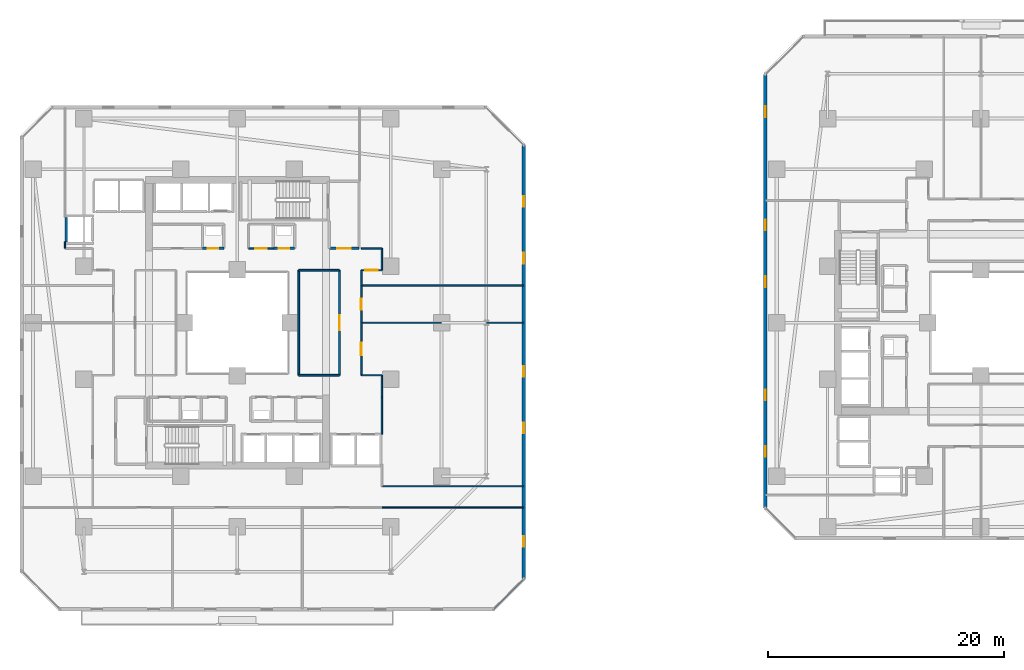
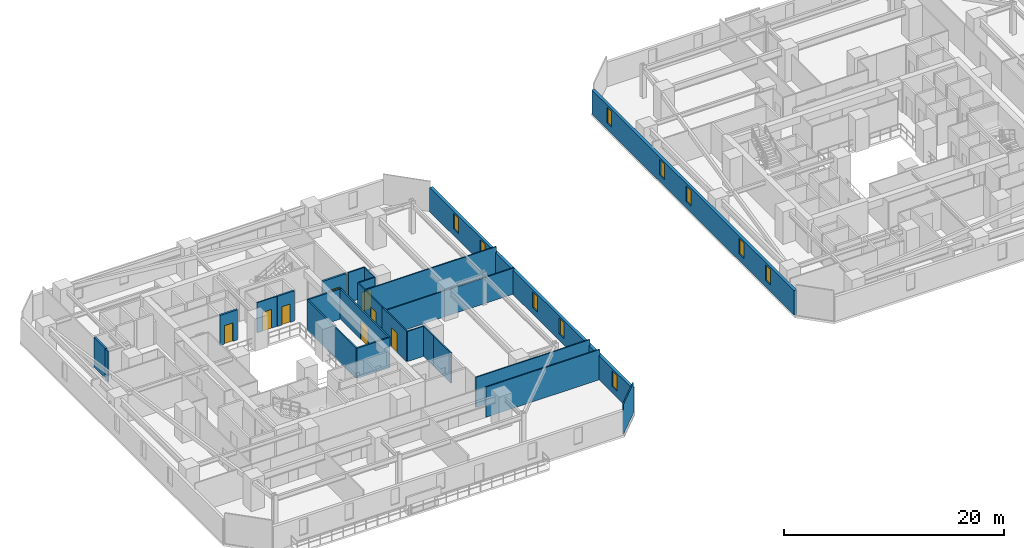
# One storey, part 22 of 34: 26 walls, 10 windows, 8 doors, 18 openings.
"""IFC4 building model written with IfcOpenShell, lengths in metres."""

from ifc_helpers import new_model, si_unit, direction, frame, frame_2d, origin, place, context, subcontext, project, spatial, rectangle, extrude, material, layer, layer_set, type_object, element, fill, save


model = new_model("IFC4")

# Units and contexts
model_context = context("Model", 3, precision=1e-05, world=origin(), true_north=direction((0.0, 1.0)))
body_context = subcontext(model_context, "Body", "Model", "MODEL_VIEW")
ifc_project = project(units=[si_unit("LENGTHUNIT", "METRE"), si_unit("AREAUNIT", "SQUARE_METRE"), si_unit("VOLUMEUNIT", "CUBIC_METRE"), si_unit("PLANEANGLEUNIT", "RADIAN"), si_unit("MASSUNIT", "GRAM", prefix="KILO")], contexts=[model_context])

# Site, building, storey
site_placement = place(None, origin())
site = spatial("IfcSite", under=ifc_project, at=site_placement, CompositionType="ELEMENT")
building_placement = place(site_placement, origin())
building = spatial("IfcBuilding", under=site, at=building_placement, Name="Thornwick Lancets Civic Towers", CompositionType="ELEMENT")
storey_placement = place(building_placement, frame((0.0, 0.0, 60.89990234375)))
storey = spatial("IfcBuildingStorey", under=building, at=storey_placement, Name="L15", CompositionType="ELEMENT", Elevation=60.89990234375)

# Wall
ifc_material_1 = material(Name="Concrete blockwork C40/50", Category="masonry")
ifc_layer_1 = layer(ifc_material_1, 0.199951171875, Name="Concrete blockwork C40/50")
ifc_layer_set_1 = layer_set([ifc_layer_1], Name="Concrete blockwork C40/50")
wall_type_1 = type_object("IfcWallType", Name="WALL_COMP_200", PredefinedType="STANDARD", material=ifc_layer_set_1)
wall_1_placement = place(storey_placement, frame((11.0, 33.862060546875, 0.0), z_axis=(0.0, 0.0, 1.0), x_axis=(0.0, 1.0, 0.0)))
element("IfcWall", 1, at=wall_1_placement, inside=storey, type_object=wall_type_1, Name="L15 Hoistway Shaft Wall PL-AM3 W", PredefinedType="STANDARD", context=body_context, shape_type="SweptSolid", body=[
    extrude(rectangle(XDim=2.075927734375, YDim=0.199951171875, at=frame_2d((1.0380859375, 0.0))), origin(), (0.0, 0.0, 1.0), 3.340087890625),
])

# Wall, opening, door
wall_2_placement = place(storey_placement, frame((33.300048828125, 33.300048828125, 0.0), z_axis=(0.0, 0.0, 1.0), x_axis=(1.0, 0.0, 0.0)))
wall_2 = element("IfcWall", 2, at=wall_2_placement, inside=storey, type_object=wall_type_1, Name="L15 Partition L15-A-FFLOB2 E1", PredefinedType="STANDARD", context=body_context, shape_type="SweptSolid", body=[
    extrude(rectangle(XDim=2.5, YDim=0.199951171875, at=frame_2d((1.25, 0.0))), origin(), (0.0, 0.0, 1.0), 3.340087890625),
])
opening_1_placement = place(wall_2_placement, frame((0.675048828125, 0.0, 0.0)))
opening_1 = element("IfcOpeningElement", 3, at=opening_1_placement, cuts=wall_2, Name="Opening D-L15-0704", PredefinedType="OPENING", context=body_context, shape_type="SweptSolid", body=[
    extrude(rectangle(XDim=1.14990234375, YDim=2.10009765625, at=frame_2d((0.574951171875, 1.050048828125))), frame((0.0, 0.10986328125, 0.0), z_axis=(0.0, -1.0, 0.0), x_axis=(1.0, 0.0, 0.0)), (0.0, 0.0, 1.0), 0.219970703125),
])
ifc_material_2 = material(Name="Glazed fire-resisting steel", Category="steel")
door_type_1 = type_object("IfcDoorType", Name="DOOR_LOBBY_FD60", OperationType="NOTDEFINED", PredefinedType="DOOR", material=ifc_material_2)
door_1_placement = place(opening_1_placement, origin())
door_1 = element("IfcDoor", 4, at=door_1_placement, inside=storey, type_object=door_type_1, Name="L15 North Firefighting Lobby 2 Door", OperationType="SINGLE_SWING_LEFT", OverallHeight=2.10009765625, OverallWidth=1.14990234375, PredefinedType="DOOR", context=body_context, shape_type="SweptSolid", body=[
    extrude(rectangle(XDim=1.14990234375, YDim=2.10009765625, at=frame_2d((0.574951171875, 1.050048828125))), frame((0.0, 0.02490234375, 0.0), z_axis=(0.0, -1.0, 0.0), x_axis=(1.0, 0.0, 0.0)), (0.0, 0.0, 1.0), 0.050048828125),
])
fill(opening_1, door_1)

wall_3_placement = place(storey_placement, frame((22.550048828125, 33.300048828125, 0.0), z_axis=(0.0, 0.0, 1.0), x_axis=(1.0, 0.0, 0.0)))
wall_3 = element("IfcWall", 5, at=wall_3_placement, inside=storey, type_object=wall_type_1, Name="L15 Partition L15-A-DUCT2 E1", PredefinedType="STANDARD", context=body_context, shape_type="SweptSolid", body=[
    extrude(rectangle(XDim=1.800048828125, YDim=0.199951171875, at=frame_2d((0.89990234375, 0.0))), origin(), (0.0, 0.0, 1.0), 3.340087890625),
])
opening_2_placement = place(wall_3_placement, frame((0.4599609375, 0.0, 0.0)))
opening_2 = element("IfcOpeningElement", 6, at=opening_2_placement, cuts=wall_3, Name="Opening D-L15-0707", PredefinedType="OPENING", context=body_context, shape_type="SweptSolid", body=[
    extrude(rectangle(XDim=0.8798828125, YDim=2.0400390625, at=frame_2d((0.43994140625, 1.02001953125))), frame((0.0, 0.10986328125, 0.0), z_axis=(0.0, -1.0, 0.0), x_axis=(1.0, 0.0, 0.0)), (0.0, 0.0, 1.0), 0.219970703125),
])
ifc_material_3 = material(Name="Steel riser access doorset", Category="steel")
door_type_2 = type_object("IfcDoorType", Name="DOOR_RISER_850", OperationType="NOTDEFINED", PredefinedType="DOOR", material=ifc_material_3)
door_2_placement = place(opening_2_placement, origin())
door_2 = element("IfcDoor", 7, at=door_2_placement, inside=storey, type_object=door_type_2, Name="L15 North Service Duct 2 Door", OperationType="SINGLE_SWING_RIGHT", OverallHeight=2.0400390625, OverallWidth=0.8798828125, PredefinedType="DOOR", context=body_context, shape_type="SweptSolid", body=[
    extrude(rectangle(XDim=0.8798828125, YDim=2.0400390625, at=frame_2d((0.43994140625, 1.02001953125))), frame((0.0, 0.02490234375, 0.0), z_axis=(0.0, -1.0, 0.0), x_axis=(1.0, 0.0, 0.0)), (0.0, 0.0, 1.0), 0.050048828125),
])
fill(opening_2, door_2)

wall_4_placement = place(storey_placement, frame((28.550048828125, 33.300048828125, 0.0), z_axis=(0.0, 0.0, 1.0), x_axis=(1.0, 0.0, 0.0)))
wall_4 = element("IfcWall", 8, at=wall_4_placement, inside=storey, type_object=wall_type_1, Name="L15 Partition L15-A-RISER2 E1", PredefinedType="STANDARD", context=body_context, shape_type="SweptSolid", body=[
    extrude(rectangle(XDim=1.800048828125, YDim=0.199951171875, at=frame_2d((0.89990234375, 0.0))), origin(), (0.0, 0.0, 1.0), 3.340087890625),
])
opening_3_placement = place(wall_4_placement, frame((0.4599609375, 0.0, 0.0)))
opening_3 = element("IfcOpeningElement", 9, at=opening_3_placement, cuts=wall_4, Name="Opening D-L15-0708", PredefinedType="OPENING", context=body_context, shape_type="SweptSolid", body=[
    extrude(rectangle(XDim=0.8798828125, YDim=2.0400390625, at=frame_2d((0.43994140625, 1.02001953125))), frame((0.0, 0.10986328125, 0.0), z_axis=(0.0, -1.0, 0.0), x_axis=(1.0, 0.0, 0.0)), (0.0, 0.0, 1.0), 0.219970703125),
])
door_3_placement = place(opening_3_placement, origin())
door_3 = element("IfcDoor", 10, at=door_3_placement, inside=storey, type_object=door_type_2, Name="L15 North Service Riser 2 Door", OperationType="SINGLE_SWING_LEFT", OverallHeight=2.0400390625, OverallWidth=0.8798828125, PredefinedType="DOOR", context=body_context, shape_type="SweptSolid", body=[
    extrude(rectangle(XDim=0.8798828125, YDim=2.0400390625, at=frame_2d((0.43994140625, 1.02001953125))), frame((0.0, 0.02490234375, 0.0), z_axis=(0.0, -1.0, 0.0), x_axis=(1.0, 0.0, 0.0)), (0.0, 0.0, 1.0), 0.050048828125),
])
fill(opening_3, door_3)

# Wall, openings, windows
ifc_material_4 = material(Name="Insulated russet terracotta rainscreen on concrete C40/50", Category="masonry")
ifc_layer_2 = layer(ifc_material_4, 0.300048828125, Name="Insulated russet terracotta rainscreen on concrete C40/50")
ifc_layer_set_2 = layer_set([ifc_layer_2], Name="Insulated russet terracotta rainscreen on concrete C40/50")
wall_type_2 = type_object("IfcWallType", Name="WALL_EXT_RUSSET_300", PredefinedType="STANDARD", material=ifc_layer_set_2)
wall_5_placement = place(storey_placement, frame((49.764892578125, 5.31884765625, 0.0), z_axis=(0.0, 0.0, 1.0), x_axis=(-5.985515e-05, 0.999999998209, 0.0)))
wall_5 = element("IfcWall", 11, at=wall_5_placement, inside=storey, type_object=wall_type_2, Name="L15 Tower A Terracotta Facade Wall E2", PredefinedType="STANDARD", context=body_context, shape_type="SweptSolid", body=[
    extrude(rectangle(XDim=36.709716796875, YDim=0.300048828125, at=frame_2d((18.35498046875, 0.0))), origin(), (0.0, 0.0, 1.0), 2.7001953125),
])
opening_4_placement = place(wall_5_placement, frame((2.699951171875, 0.0, 0.719970703125)))
opening_4 = element("IfcOpeningElement", 12, at=opening_4_placement, cuts=wall_5, Name="Opening WL-01", PredefinedType="OPENING", context=body_context, shape_type="SweptSolid", body=[
    extrude(rectangle(XDim=0.89990234375, YDim=1.75, at=frame_2d((0.449951171875, 0.875))), frame((0.0, 0.16015625, 0.0), z_axis=(0.0, -1.0, 0.0), x_axis=(1.0, 0.0, 0.0)), (0.0, 0.0, 1.0), 0.320068359375),
])
opening_5_placement = place(wall_5_placement, frame((12.300048828125, 0.0, 0.719970703125)))
opening_5 = element("IfcOpeningElement", 13, at=opening_5_placement, cuts=wall_5, Name="Opening WL-01", PredefinedType="OPENING", context=body_context, shape_type="SweptSolid", body=[
    extrude(rectangle(XDim=0.89990234375, YDim=1.75, at=frame_2d((0.449951171875, 0.875))), frame((0.0, 0.16015625, 0.0), z_axis=(0.0, -1.0, 0.0), x_axis=(1.0, 0.0, 0.0)), (0.0, 0.0, 1.0), 0.320068359375),
])
opening_6_placement = place(wall_5_placement, frame((17.10009765625, 0.0, 0.719970703125)))
opening_6 = element("IfcOpeningElement", 14, at=opening_6_placement, cuts=wall_5, Name="Opening WL-01", PredefinedType="OPENING", context=body_context, shape_type="SweptSolid", body=[
    extrude(rectangle(XDim=0.89990234375, YDim=1.75, at=frame_2d((0.449951171875, 0.875))), frame((0.0, 0.16015625, 0.0), z_axis=(0.0, -1.0, 0.0), x_axis=(1.0, 0.0, 0.0)), (0.0, 0.0, 1.0), 0.320068359375),
])
opening_7_placement = place(wall_5_placement, frame((26.699951171875, 0.0, 0.719970703125)))
opening_7 = element("IfcOpeningElement", 15, at=opening_7_placement, cuts=wall_5, Name="Opening WL-01", PredefinedType="OPENING", context=body_context, shape_type="SweptSolid", body=[
    extrude(rectangle(XDim=0.89990234375, YDim=1.75, at=frame_2d((0.449951171875, 0.875))), frame((0.0, 0.16015625, 0.0), z_axis=(0.0, -1.0, 0.0), x_axis=(1.0, 0.0, 0.0)), (0.0, 0.0, 1.0), 0.320068359375),
])
opening_8_placement = place(wall_5_placement, frame((31.5, 0.0, 0.719970703125)))
opening_8 = element("IfcOpeningElement", 16, at=opening_8_placement, cuts=wall_5, Name="Opening WL-01", PredefinedType="OPENING", context=body_context, shape_type="SweptSolid", body=[
    extrude(rectangle(XDim=0.89990234375, YDim=1.75, at=frame_2d((0.449951171875, 0.875))), frame((0.0, 0.16015625, 0.0), z_axis=(0.0, -1.0, 0.0), x_axis=(1.0, 0.0, 0.0)), (0.0, 0.0, 1.0), 0.320068359375),
])
ifc_material_5 = material(Name="Clear low-e double glazing in bronze frame", Category="glass")
window_type = type_object("IfcWindowType", Name="WIN_LANCET_900", PartitioningType="SINGLE_PANEL", PredefinedType="WINDOW", material=ifc_material_5)
window_1_placement = place(opening_4_placement, origin())
window_1 = element("IfcWindow", 17, at=window_1_placement, inside=storey, type_object=window_type, Name="L15 Tower A Staggered Lancet Window E2-1", OverallHeight=1.75, OverallWidth=0.89990234375, PartitioningType="SINGLE_PANEL", PredefinedType="WINDOW", context=body_context, shape_type="SweptSolid", body=[
    extrude(rectangle(XDim=0.89990234375, YDim=1.75, at=frame_2d((0.449951171875, 0.875))), frame((0.0, 0.030029296875, 0.0), z_axis=(0.0, -1.0, 0.0), x_axis=(1.0, 0.0, 0.0)), (0.0, 0.0, 1.0), 0.06005859375),
])
fill(opening_4, window_1)
window_2_placement = place(opening_5_placement, origin())
window_2 = element("IfcWindow", 18, at=window_2_placement, inside=storey, type_object=window_type, Name="L15 Tower A Staggered Lancet Window E2-2", OverallHeight=1.75, OverallWidth=0.89990234375, PartitioningType="SINGLE_PANEL", PredefinedType="WINDOW", context=body_context, shape_type="SweptSolid", body=[
    extrude(rectangle(XDim=0.89990234375, YDim=1.75, at=frame_2d((0.449951171875, 0.875))), frame((0.0, 0.030029296875, 0.0), z_axis=(0.0, -1.0, 0.0), x_axis=(1.0, 0.0, 0.0)), (0.0, 0.0, 1.0), 0.06005859375),
])
fill(opening_5, window_2)
window_3_placement = place(opening_6_placement, origin())
window_3 = element("IfcWindow", 19, at=window_3_placement, inside=storey, type_object=window_type, Name="L15 Tower A Staggered Lancet Window E2-3", OverallHeight=1.75, OverallWidth=0.89990234375, PartitioningType="SINGLE_PANEL", PredefinedType="WINDOW", context=body_context, shape_type="SweptSolid", body=[
    extrude(rectangle(XDim=0.89990234375, YDim=1.75, at=frame_2d((0.449951171875, 0.875))), frame((0.0, 0.030029296875, 0.0), z_axis=(0.0, -1.0, 0.0), x_axis=(1.0, 0.0, 0.0)), (0.0, 0.0, 1.0), 0.06005859375),
])
fill(opening_6, window_3)
window_4_placement = place(opening_7_placement, origin())
window_4 = element("IfcWindow", 20, at=window_4_placement, inside=storey, type_object=window_type, Name="L15 Tower A Staggered Lancet Window E2-4", OverallHeight=1.75, OverallWidth=0.89990234375, PartitioningType="SINGLE_PANEL", PredefinedType="WINDOW", context=body_context, shape_type="SweptSolid", body=[
    extrude(rectangle(XDim=0.89990234375, YDim=1.75, at=frame_2d((0.449951171875, 0.875))), frame((0.0, 0.030029296875, 0.0), z_axis=(0.0, -1.0, 0.0), x_axis=(1.0, 0.0, 0.0)), (0.0, 0.0, 1.0), 0.06005859375),
])
fill(opening_7, window_4)
window_5_placement = place(opening_8_placement, origin())
window_5 = element("IfcWindow", 21, at=window_5_placement, inside=storey, type_object=window_type, Name="L15 Tower A Staggered Lancet Window E2-5", OverallHeight=1.75, OverallWidth=0.89990234375, PartitioningType="SINGLE_PANEL", PredefinedType="WINDOW", context=body_context, shape_type="SweptSolid", body=[
    extrude(rectangle(XDim=0.89990234375, YDim=1.75, at=frame_2d((0.449951171875, 0.875))), frame((0.0, 0.030029296875, 0.0), z_axis=(0.0, -1.0, 0.0), x_axis=(1.0, 0.0, 0.0)), (0.0, 0.0, 1.0), 0.06005859375),
])
fill(opening_8, window_5)

wall_6_placement = place(storey_placement, frame((70.2373046875, 48.028564453125, 0.0), z_axis=(0.0, 0.0, 1.0), x_axis=(-5.985515e-05, -0.999999998209, 0.0)))
wall_6 = element("IfcWall", 22, at=wall_6_placement, inside=storey, type_object=wall_type_2, Name="L15 Tower B Terracotta Facade Wall E6", PredefinedType="STANDARD", context=body_context, shape_type="SweptSolid", body=[
    extrude(rectangle(XDim=36.709716796875, YDim=0.300048828125, at=frame_2d((18.35498046875, 0.0))), origin(), (0.0, 0.0, 1.0), 2.7001953125),
])
opening_9_placement = place(wall_6_placement, frame((2.699951171875, 0.0, 0.719970703125)))
opening_9 = element("IfcOpeningElement", 23, at=opening_9_placement, cuts=wall_6, Name="Opening WL-01", PredefinedType="OPENING", context=body_context, shape_type="SweptSolid", body=[
    extrude(rectangle(XDim=0.89990234375, YDim=1.75, at=frame_2d((0.449951171875, 0.875))), frame((0.0, 0.16015625, 0.0), z_axis=(0.0, -1.0, 0.0), x_axis=(1.0, 0.0, 0.0)), (0.0, 0.0, 1.0), 0.320068359375),
])
opening_10_placement = place(wall_6_placement, frame((12.300048828125, 0.0, 0.719970703125)))
opening_10 = element("IfcOpeningElement", 24, at=opening_10_placement, cuts=wall_6, Name="Opening WL-01", PredefinedType="OPENING", context=body_context, shape_type="SweptSolid", body=[
    extrude(rectangle(XDim=0.89990234375, YDim=1.75, at=frame_2d((0.449951171875, 0.875))), frame((0.0, 0.16015625, 0.0), z_axis=(0.0, -1.0, 0.0), x_axis=(1.0, 0.0, 0.0)), (0.0, 0.0, 1.0), 0.320068359375),
])
opening_11_placement = place(wall_6_placement, frame((17.10009765625, 0.0, 0.719970703125)))
opening_11 = element("IfcOpeningElement", 25, at=opening_11_placement, cuts=wall_6, Name="Opening WL-01", PredefinedType="OPENING", context=body_context, shape_type="SweptSolid", body=[
    extrude(rectangle(XDim=0.89990234375, YDim=1.75, at=frame_2d((0.449951171875, 0.875))), frame((0.0, 0.16015625, 0.0), z_axis=(0.0, -1.0, 0.0), x_axis=(1.0, 0.0, 0.0)), (0.0, 0.0, 1.0), 0.320068359375),
])
opening_12_placement = place(wall_6_placement, frame((26.699951171875, 0.0, 0.719970703125)))
opening_12 = element("IfcOpeningElement", 26, at=opening_12_placement, cuts=wall_6, Name="Opening WL-01", PredefinedType="OPENING", context=body_context, shape_type="SweptSolid", body=[
    extrude(rectangle(XDim=0.89990234375, YDim=1.75, at=frame_2d((0.449951171875, 0.875))), frame((0.0, 0.16015625, 0.0), z_axis=(0.0, -1.0, 0.0), x_axis=(1.0, 0.0, 0.0)), (0.0, 0.0, 1.0), 0.320068359375),
])
opening_13_placement = place(wall_6_placement, frame((31.5, 0.0, 0.719970703125)))
opening_13 = element("IfcOpeningElement", 27, at=opening_13_placement, cuts=wall_6, Name="Opening WL-01", PredefinedType="OPENING", context=body_context, shape_type="SweptSolid", body=[
    extrude(rectangle(XDim=0.89990234375, YDim=1.75, at=frame_2d((0.449951171875, 0.875))), frame((0.0, 0.16015625, 0.0), z_axis=(0.0, -1.0, 0.0), x_axis=(1.0, 0.0, 0.0)), (0.0, 0.0, 1.0), 0.320068359375),
])
window_6_placement = place(opening_9_placement, origin())
window_6 = element("IfcWindow", 28, at=window_6_placement, inside=storey, type_object=window_type, Name="L15 Tower B Staggered Lancet Window E6-1", OverallHeight=1.75, OverallWidth=0.89990234375, PartitioningType="SINGLE_PANEL", PredefinedType="WINDOW", context=body_context, shape_type="SweptSolid", body=[
    extrude(rectangle(XDim=0.89990234375, YDim=1.75, at=frame_2d((0.449951171875, 0.875))), frame((0.0, 0.030029296875, 0.0), z_axis=(0.0, -1.0, 0.0), x_axis=(1.0, 0.0, 0.0)), (0.0, 0.0, 1.0), 0.06005859375),
])
fill(opening_9, window_6)
window_7_placement = place(opening_10_placement, origin())
window_7 = element("IfcWindow", 29, at=window_7_placement, inside=storey, type_object=window_type, Name="L15 Tower B Staggered Lancet Window E6-2", OverallHeight=1.75, OverallWidth=0.89990234375, PartitioningType="SINGLE_PANEL", PredefinedType="WINDOW", context=body_context, shape_type="SweptSolid", body=[
    extrude(rectangle(XDim=0.89990234375, YDim=1.75, at=frame_2d((0.449951171875, 0.875))), frame((0.0, 0.030029296875, 0.0), z_axis=(0.0, -1.0, 0.0), x_axis=(1.0, 0.0, 0.0)), (0.0, 0.0, 1.0), 0.06005859375),
])
fill(opening_10, window_7)
window_8_placement = place(opening_11_placement, origin())
window_8 = element("IfcWindow", 30, at=window_8_placement, inside=storey, type_object=window_type, Name="L15 Tower B Staggered Lancet Window E6-3", OverallHeight=1.75, OverallWidth=0.89990234375, PartitioningType="SINGLE_PANEL", PredefinedType="WINDOW", context=body_context, shape_type="SweptSolid", body=[
    extrude(rectangle(XDim=0.89990234375, YDim=1.75, at=frame_2d((0.449951171875, 0.875))), frame((0.0, 0.030029296875, 0.0), z_axis=(0.0, -1.0, 0.0), x_axis=(1.0, 0.0, 0.0)), (0.0, 0.0, 1.0), 0.06005859375),
])
fill(opening_11, window_8)
window_9_placement = place(opening_12_placement, origin())
window_9 = element("IfcWindow", 31, at=window_9_placement, inside=storey, type_object=window_type, Name="L15 Tower B Staggered Lancet Window E6-4", OverallHeight=1.75, OverallWidth=0.89990234375, PartitioningType="SINGLE_PANEL", PredefinedType="WINDOW", context=body_context, shape_type="SweptSolid", body=[
    extrude(rectangle(XDim=0.89990234375, YDim=1.75, at=frame_2d((0.449951171875, 0.875))), frame((0.0, 0.030029296875, 0.0), z_axis=(0.0, -1.0, 0.0), x_axis=(1.0, 0.0, 0.0)), (0.0, 0.0, 1.0), 0.06005859375),
])
fill(opening_12, window_9)
window_10_placement = place(opening_13_placement, origin())
window_10 = element("IfcWindow", 32, at=window_10_placement, inside=storey, type_object=window_type, Name="L15 Tower B Staggered Lancet Window E6-5", OverallHeight=1.75, OverallWidth=0.89990234375, PartitioningType="SINGLE_PANEL", PredefinedType="WINDOW", context=body_context, shape_type="SweptSolid", body=[
    extrude(rectangle(XDim=0.89990234375, YDim=1.75, at=frame_2d((0.449951171875, 0.875))), frame((0.0, 0.030029296875, 0.0), z_axis=(0.0, -1.0, 0.0), x_axis=(1.0, 0.0, 0.0)), (0.0, 0.0, 1.0), 0.06005859375),
])
fill(opening_13, window_10)

# Wall, opening, door
ifc_material_6 = material(Name="Acoustic gypsum board partition")
ifc_layer_3 = layer(ifc_material_6, 0.1201171875, Name="Acoustic gypsum board partition")
ifc_layer_set_3 = layer_set([ifc_layer_3], Name="Acoustic gypsum board partition")
wall_type_3 = type_object("IfcWallType", Name="WALL_PART_120", PredefinedType="PARTITIONING", material=ifc_layer_set_3)
wall_7_placement = place(storey_placement, frame((28.550048828125, 33.300048828125, 0.0), z_axis=(0.0, 0.0, 1.0), x_axis=(-1.0, 0.0, 0.0)))
wall_7 = element("IfcWall", 33, at=wall_7_placement, inside=storey, type_object=wall_type_3, Name="L15 Partition L15-A-ITR E4", PredefinedType="PARTITIONING", context=body_context, shape_type="SweptSolid", body=[
    extrude(rectangle(XDim=2.10009765625, YDim=0.1201171875, at=frame_2d((1.050048828125, 0.0))), origin(), (0.0, 0.0, 1.0), 3.340087890625),
])
opening_14_placement = place(wall_7_placement, frame((0.574951171875, 0.0, 0.0)))
opening_14 = element("IfcOpeningElement", 34, at=opening_14_placement, cuts=wall_7, Name="Opening D-L15-0714", PredefinedType="OPENING", context=body_context, shape_type="SweptSolid", body=[
    extrude(rectangle(XDim=0.949951171875, YDim=2.10009765625, at=frame_2d((0.47509765625, 1.050048828125))), frame((0.0, 0.070068359375, 0.0), z_axis=(0.0, -1.0, 0.0), x_axis=(1.0, 0.0, 0.0)), (0.0, 0.0, 1.0), 0.14013671875),
])
ifc_material_7 = material(Name="European oak acoustic doorset")
door_type_3 = type_object("IfcDoorType", Name="DOOR_OFFICE_950", OperationType="NOTDEFINED", PredefinedType="DOOR", material=ifc_material_7)
door_4_placement = place(opening_14_placement, origin())
door_4 = element("IfcDoor", 35, at=door_4_placement, inside=storey, type_object=door_type_3, Name="L15 Tower A Comms Patch Room Door", OperationType="SINGLE_SWING_LEFT", OverallHeight=2.10009765625, OverallWidth=0.949951171875, PredefinedType="DOOR", context=body_context, shape_type="SweptSolid", body=[
    extrude(rectangle(XDim=0.949951171875, YDim=2.10009765625, at=frame_2d((0.47509765625, 1.050048828125))), frame((0.0, 0.02490234375, 0.0), z_axis=(0.0, -1.0, 0.0), x_axis=(1.0, 0.0, 0.0)), (0.0, 0.0, 1.0), 0.050048828125),
])
fill(opening_14, door_4)

# Walls
wall_8_placement = place(storey_placement, frame((10.89990234375, 33.862060546875, 0.0), z_axis=(0.0, 0.0, 1.0), x_axis=(0.0, -1.0, 0.0)))
element("IfcWall", 36, at=wall_8_placement, inside=storey, type_object=wall_type_3, Name="L15 Partition L15-A-W3 E9", PredefinedType="PARTITIONING", context=body_context, shape_type="SweptSolid", body=[
    extrude(rectangle(XDim=0.56201171875, YDim=0.1201171875, at=frame_2d((0.281005859375, 0.0))), origin(), (0.0, 0.0, 1.0), 3.340087890625),
])
wall_9_placement = place(storey_placement, frame((37.75, 17.550048828125, 0.0), z_axis=(0.0, 0.0, 1.0), x_axis=(0.0, 1.0, 0.0)))
element("IfcWall", 37, at=wall_9_placement, inside=storey, type_object=wall_type_3, Name="L15 Partition L15-A-E1 E1", PredefinedType="PARTITIONING", context=body_context, shape_type="SweptSolid", body=[
    extrude(rectangle(XDim=3.14990234375, YDim=0.1201171875, at=frame_2d((1.574951171875, 0.0))), origin(), (0.0, 0.0, 1.0), 3.340087890625),
])
wall_10_placement = place(storey_placement, frame((37.75, 20.699951171875, 0.0), z_axis=(0.0, 0.0, 1.0), x_axis=(0.0, 1.0, 0.0)))
element("IfcWall", 38, at=wall_10_placement, inside=storey, type_object=wall_type_3, Name="L15 Partition L15-A-E1 E2", PredefinedType="PARTITIONING", context=body_context, shape_type="SweptSolid", body=[
    extrude(rectangle(XDim=1.85009765625, YDim=0.1201171875, at=frame_2d((0.925048828125, 0.0))), origin(), (0.0, 0.0, 1.0), 3.340087890625),
])
wall_11_placement = place(storey_placement, frame((37.75, 22.550048828125, 0.0), z_axis=(0.0, 0.0, 1.0), x_axis=(-1.0, 0.0, 0.0)))
element("IfcWall", 39, at=wall_11_placement, inside=storey, type_object=wall_type_3, Name="L15 Partition L15-A-E1 E3", PredefinedType="PARTITIONING", context=body_context, shape_type="SweptSolid", body=[
    extrude(rectangle(XDim=1.75, YDim=0.1201171875, at=frame_2d((0.875, 0.0))), origin(), (0.0, 0.0, 1.0), 3.340087890625),
])

# Wall, opening, door
wall_12_placement = place(storey_placement, frame((36.0, 22.550048828125, 0.0), z_axis=(0.0, 0.0, 1.0), x_axis=(0.0, 1.0, 0.0)))
wall_12 = element("IfcWall", 40, at=wall_12_placement, inside=storey, type_object=wall_type_3, Name="L15 Partition L15-A-E1 E4", PredefinedType="PARTITIONING", context=body_context, shape_type="SweptSolid", body=[
    extrude(rectangle(XDim=4.449951171875, YDim=0.1201171875, at=frame_2d((2.22509765625, 0.0))), origin(), (0.0, 0.0, 1.0), 3.340087890625),
])
opening_15_placement = place(wall_12_placement, frame((1.699951171875, 0.0, 0.0)))
opening_15 = element("IfcOpeningElement", 41, at=opening_15_placement, cuts=wall_12, Name="Opening D-L15-0730", PredefinedType="OPENING", context=body_context, shape_type="SweptSolid", body=[
    extrude(rectangle(XDim=1.050048828125, YDim=2.10009765625, at=frame_2d((0.52490234375, 1.050048828125))), frame((0.0, 0.070068359375, 0.0), z_axis=(0.0, -1.0, 0.0), x_axis=(1.0, 0.0, 0.0)), (0.0, 0.0, 1.0), 0.14013671875),
])
ifc_material_8 = material(Name="Glazed European oak executive doorset")
door_type_4 = type_object("IfcDoorType", Name="DOOR_OFFICE_1050", OperationType="NOTDEFINED", PredefinedType="DOOR", material=ifc_material_8)
door_5_placement = place(opening_15_placement, origin())
door_5 = element("IfcDoor", 42, at=door_5_placement, inside=storey, type_object=door_type_4, Name="L15 Tower A Secretariat Open Office E1 Door", OperationType="SINGLE_SWING_LEFT", OverallHeight=2.10009765625, OverallWidth=1.050048828125, PredefinedType="DOOR", context=body_context, shape_type="SweptSolid", body=[
    extrude(rectangle(XDim=1.050048828125, YDim=2.10009765625, at=frame_2d((0.52490234375, 1.050048828125))), frame((0.0, 0.02490234375, 0.0), z_axis=(0.0, -1.0, 0.0), x_axis=(1.0, 0.0, 0.0)), (0.0, 0.0, 1.0), 0.050048828125),
])
fill(opening_15, door_5)

# Walls
wall_13_placement = place(storey_placement, frame((36.0, 27.0, 0.0), z_axis=(0.0, 0.0, 1.0), x_axis=(1.0, 0.0, 0.0)))
element("IfcWall", 43, at=wall_13_placement, inside=storey, type_object=wall_type_3, Name="L15 Partition L15-A-E1 E5", PredefinedType="PARTITIONING", context=body_context, shape_type="SweptSolid", body=[
    extrude(rectangle(XDim=13.719970703125, YDim=0.1201171875, at=frame_2d((6.85986328125, 0.0))), origin(), (0.0, 0.0, 1.0), 2.8779296875),
])
wall_14_placement = place(storey_placement, frame((49.719970703125, 13.14990234375, 0.0), z_axis=(0.0, 0.0, 1.0), x_axis=(-1.0, 0.0, 0.0)))
element("IfcWall", 44, at=wall_14_placement, inside=storey, type_object=wall_type_3, Name="L15 Partition L15-A-E1 E7", PredefinedType="PARTITIONING", context=body_context, shape_type="SweptSolid", body=[
    extrude(rectangle(XDim=11.969970703125, YDim=0.1201171875, at=frame_2d((5.98486328125, 0.0))), origin(), (0.0, 0.0, 1.0), 3.340087890625),
])

# Wall, opening, door
wall_15_placement = place(storey_placement, frame((36.0, 27.0, 0.0), z_axis=(0.0, 0.0, 1.0), x_axis=(0.0, 1.0, 0.0)))
wall_15 = element("IfcWall", 45, at=wall_15_placement, inside=storey, type_object=wall_type_3, Name="L15 Partition L15-A-E2 E1", PredefinedType="PARTITIONING", context=body_context, shape_type="SweptSolid", body=[
    extrude(rectangle(XDim=3.14990234375, YDim=0.1201171875, at=frame_2d((1.574951171875, 0.0))), origin(), (0.0, 0.0, 1.0), 3.340087890625),
])
opening_16_placement = place(wall_15_placement, frame((1.10009765625, 0.0, 0.0)))
opening_16 = element("IfcOpeningElement", 46, at=opening_16_placement, cuts=wall_15, Name="Opening D-L15-0731", PredefinedType="OPENING", context=body_context, shape_type="SweptSolid", body=[
    extrude(rectangle(XDim=0.949951171875, YDim=2.10009765625, at=frame_2d((0.47509765625, 1.050048828125))), frame((0.0, 0.070068359375, 0.0), z_axis=(0.0, -1.0, 0.0), x_axis=(1.0, 0.0, 0.0)), (0.0, 0.0, 1.0), 0.14013671875),
])
door_6_placement = place(opening_16_placement, origin())
door_6 = element("IfcDoor", 47, at=door_6_placement, inside=storey, type_object=door_type_3, Name="L15 Tower A Visitors Reception and Waiting Door", OperationType="SINGLE_SWING_RIGHT", OverallHeight=2.10009765625, OverallWidth=0.949951171875, PredefinedType="DOOR", context=body_context, shape_type="SweptSolid", body=[
    extrude(rectangle(XDim=0.949951171875, YDim=2.10009765625, at=frame_2d((0.47509765625, 1.050048828125))), frame((0.0, 0.02490234375, 0.0), z_axis=(0.0, -1.0, 0.0), x_axis=(1.0, 0.0, 0.0)), (0.0, 0.0, 1.0), 0.050048828125),
])
fill(opening_16, door_6)

# Wall
wall_16_placement = place(storey_placement, frame((36.0, 30.14990234375, 0.0), z_axis=(0.0, 0.0, 1.0), x_axis=(1.0, 0.0, 0.0)))
element("IfcWall", 48, at=wall_16_placement, inside=storey, type_object=wall_type_3, Name="L15 Partition L15-A-E2 E2", PredefinedType="PARTITIONING", context=body_context, shape_type="SweptSolid", body=[
    extrude(rectangle(XDim=13.719970703125, YDim=0.1201171875, at=frame_2d((6.85986328125, 0.0))), origin(), (0.0, 0.0, 1.0), 3.340087890625),
])

# Wall, opening, door
wall_17_placement = place(storey_placement, frame((36.0, 31.449951171875, 0.0), z_axis=(0.0, 0.0, 1.0), x_axis=(1.0, 0.0, 0.0)))
wall_17 = element("IfcWall", 49, at=wall_17_placement, inside=storey, type_object=wall_type_3, Name="L15 Partition L15-A-E3 E1", PredefinedType="PARTITIONING", context=body_context, shape_type="SweptSolid", body=[
    extrude(rectangle(XDim=1.75, YDim=0.1201171875, at=frame_2d((0.875, 0.0))), origin(), (0.0, 0.0, 1.0), 3.340087890625),
])
opening_17_placement = place(wall_17_placement, frame((0.35009765625, 0.0, 0.0)))
opening_17 = element("IfcOpeningElement", 50, at=opening_17_placement, cuts=wall_17, Name="Opening D-L15-0732", PredefinedType="OPENING", context=body_context, shape_type="SweptSolid", body=[
    extrude(rectangle(XDim=1.050048828125, YDim=2.10009765625, at=frame_2d((0.52490234375, 1.050048828125))), frame((0.0, 0.070068359375, 0.0), z_axis=(0.0, -1.0, 0.0), x_axis=(1.0, 0.0, 0.0)), (0.0, 0.0, 1.0), 0.14013671875),
])
door_7_placement = place(opening_17_placement, origin())
door_7 = element("IfcDoor", 51, at=door_7_placement, inside=storey, type_object=door_type_4, Name="L15 Tower A Civic Seminar Room Door", OperationType="SINGLE_SWING_LEFT", OverallHeight=2.10009765625, OverallWidth=1.050048828125, PredefinedType="DOOR", context=body_context, shape_type="SweptSolid", body=[
    extrude(rectangle(XDim=1.050048828125, YDim=2.10009765625, at=frame_2d((0.52490234375, 1.050048828125))), frame((0.0, 0.02490234375, 0.0), z_axis=(0.0, -1.0, 0.0), x_axis=(1.0, 0.0, 0.0)), (0.0, 0.0, 1.0), 0.050048828125),
])
fill(opening_17, door_7)

# Walls
wall_18_placement = place(storey_placement, frame((37.75, 31.449951171875, 0.0), z_axis=(0.0, 0.0, 1.0), x_axis=(0.0, 1.0, 0.0)))
element("IfcWall", 52, at=wall_18_placement, inside=storey, type_object=wall_type_3, Name="L15 Partition L15-A-E3 E2", PredefinedType="PARTITIONING", context=body_context, shape_type="SweptSolid", body=[
    extrude(rectangle(XDim=1.85009765625, YDim=0.1201171875, at=frame_2d((0.925048828125, 0.0))), origin(), (0.0, 0.0, 1.0), 3.340087890625),
])
wall_19_placement = place(storey_placement, frame((37.75, 33.300048828125, 0.0), z_axis=(0.0, 0.0, 1.0), x_axis=(-1.0, 0.0, 0.0)))
element("IfcWall", 53, at=wall_19_placement, inside=storey, type_object=wall_type_3, Name="L15 Partition L15-A-E3 E3", PredefinedType="PARTITIONING", context=body_context, shape_type="SweptSolid", body=[
    extrude(rectangle(XDim=1.75, YDim=0.1201171875, at=frame_2d((0.875, 0.0))), origin(), (0.0, 0.0, 1.0), 3.340087890625),
])
wall_20_placement = place(storey_placement, frame((36.0, 30.14990234375, 0.0), z_axis=(0.0, 0.0, 1.0), x_axis=(0.0, 1.0, 0.0)))
element("IfcWall", 54, at=wall_20_placement, inside=storey, type_object=wall_type_3, Name="L15 Partition L15-A-E3 E10", PredefinedType="PARTITIONING", context=body_context, shape_type="SweptSolid", body=[
    extrude(rectangle(XDim=1.300048828125, YDim=0.1201171875, at=frame_2d((0.64990234375, 0.0))), origin(), (0.0, 0.0, 1.0), 3.340087890625),
])
wall_21_placement = place(storey_placement, frame((37.75, 11.35009765625, 0.0), z_axis=(0.0, 0.0, 1.0), x_axis=(1.0, 0.0, 0.0)))
element("IfcWall", 55, at=wall_21_placement, inside=storey, type_object=wall_type_3, Name="L15 Partition L15-A-S-OFF2 E4", PredefinedType="PARTITIONING", context=body_context, shape_type="SweptSolid", body=[
    extrude(rectangle(XDim=11.969970703125, YDim=0.1201171875, at=frame_2d((5.98486328125, 0.0))), origin(), (0.0, 0.0, 1.0), 3.340087890625),
])
wall_22_placement = place(storey_placement, frame((49.719970703125, 5.274658203125, 0.0), z_axis=(0.0, 0.0, 1.0), x_axis=(-0.707106781187, -0.707106781187, 0.0)))
element("IfcWall", 56, at=wall_22_placement, inside=storey, type_object=wall_type_3, Name="L15 Partition L15-A-S-OFF2 E6", PredefinedType="PARTITIONING", context=body_context, shape_type="SweptSolid", body=[
    extrude(rectangle(XDim=3.52783203125, YDim=0.1201171875, at=frame_2d((1.763916015625, 0.0))), origin(), (0.0, 0.0, 1.0), 3.340087890625),
])
ifc_material_9 = material(Name="Twin-stud acoustic gypsum board")
ifc_layer_4 = layer(ifc_material_9, 0.14990234375, Name="Twin-stud acoustic gypsum board")
ifc_layer_set_4 = layer_set([ifc_layer_4], Name="Twin-stud acoustic gypsum board")
wall_type_4 = type_object("IfcWallType", Name="WALL_PART_150", PredefinedType="PARTITIONING", material=ifc_layer_set_4)
wall_23_placement = place(storey_placement, frame((30.699951171875, 22.550048828125, 0.0), z_axis=(0.0, 0.0, 1.0), x_axis=(0.0, 1.0, 0.0)))
element("IfcWall", 57, at=wall_23_placement, inside=storey, type_object=wall_type_4, Name="L15 Partition L15-A-ATR-E E1", PredefinedType="PARTITIONING", context=body_context, shape_type="SweptSolid", body=[
    extrude(rectangle(XDim=8.89990234375, YDim=0.14990234375, at=frame_2d((4.449951171875, 0.0))), origin(), (0.0, 0.0, 1.0), 3.340087890625),
])
wall_24_placement = place(storey_placement, frame((30.699951171875, 31.449951171875, 0.0), z_axis=(0.0, 0.0, 1.0), x_axis=(1.0, 0.0, 0.0)))
element("IfcWall", 58, at=wall_24_placement, inside=storey, type_object=wall_type_4, Name="L15 Partition L15-A-ATR-E E2", PredefinedType="PARTITIONING", context=body_context, shape_type="SweptSolid", body=[
    extrude(rectangle(XDim=3.449951171875, YDim=0.14990234375, at=frame_2d((1.72509765625, 0.0))), origin(), (0.0, 0.0, 1.0), 3.340087890625),
])

# Wall, opening, door
wall_25_placement = place(storey_placement, frame((34.14990234375, 31.449951171875, 0.0), z_axis=(0.0, 0.0, 1.0), x_axis=(0.0, -1.0, 0.0)))
wall_25 = element("IfcWall", 59, at=wall_25_placement, inside=storey, type_object=wall_type_4, Name="L15 Partition L15-A-ATR-E E3", PredefinedType="PARTITIONING", context=body_context, shape_type="SweptSolid", body=[
    extrude(rectangle(XDim=8.89990234375, YDim=0.14990234375, at=frame_2d((4.449951171875, 0.0))), origin(), (0.0, 0.0, 1.0), 3.340087890625),
])
opening_18_placement = place(wall_25_placement, frame((3.800048828125, 0.0, 0.0)))
opening_18 = element("IfcOpeningElement", 60, at=opening_18_placement, cuts=wall_25, Name="Opening D-L15-0733", PredefinedType="OPENING", context=body_context, shape_type="SweptSolid", body=[
    extrude(rectangle(XDim=1.300048828125, YDim=2.1201171875, at=frame_2d((0.64990234375, 1.06005859375))), frame((0.0, 0.0849609375, 0.0), z_axis=(0.0, -1.0, 0.0), x_axis=(1.0, 0.0, 0.0)), (0.0, 0.0, 1.0), 0.169921875),
])
ifc_material_10 = material(Name="Acoustic oak leaf-and-a-half doorset")
door_type_5 = type_object("IfcDoorType", Name="DOOR_MEET_1300", OperationType="DOUBLE_DOOR_SINGLE_SWING", PredefinedType="DOOR", material=ifc_material_10)
door_8_placement = place(opening_18_placement, origin())
door_8 = element("IfcDoor", 61, at=door_8_placement, inside=storey, type_object=door_type_5, Name="L15 Tower A East Atrium Briefing Suite Door", OperationType="DOUBLE_DOOR_SINGLE_SWING", OverallHeight=2.1201171875, OverallWidth=1.300048828125, PredefinedType="DOOR", context=body_context, shape_type="SweptSolid", body=[
    extrude(rectangle(XDim=1.300048828125, YDim=2.1201171875, at=frame_2d((0.64990234375, 1.06005859375))), frame((0.0, 0.02490234375, 0.0), z_axis=(0.0, -1.0, 0.0), x_axis=(1.0, 0.0, 0.0)), (0.0, 0.0, 1.0), 0.050048828125),
])
fill(opening_18, door_8)

# Wall
wall_26_placement = place(storey_placement, frame((34.14990234375, 22.550048828125, 0.0), z_axis=(0.0, 0.0, 1.0), x_axis=(-1.0, 0.0, 0.0)))
element("IfcWall", 62, at=wall_26_placement, inside=storey, type_object=wall_type_4, Name="L15 Partition L15-A-ATR-E E4", PredefinedType="PARTITIONING", context=body_context, shape_type="SweptSolid", body=[
    extrude(rectangle(XDim=3.449951171875, YDim=0.14990234375, at=frame_2d((1.72509765625, 0.0))), origin(), (0.0, 0.0, 1.0), 3.340087890625),
])

save(model, "model.ifc")
